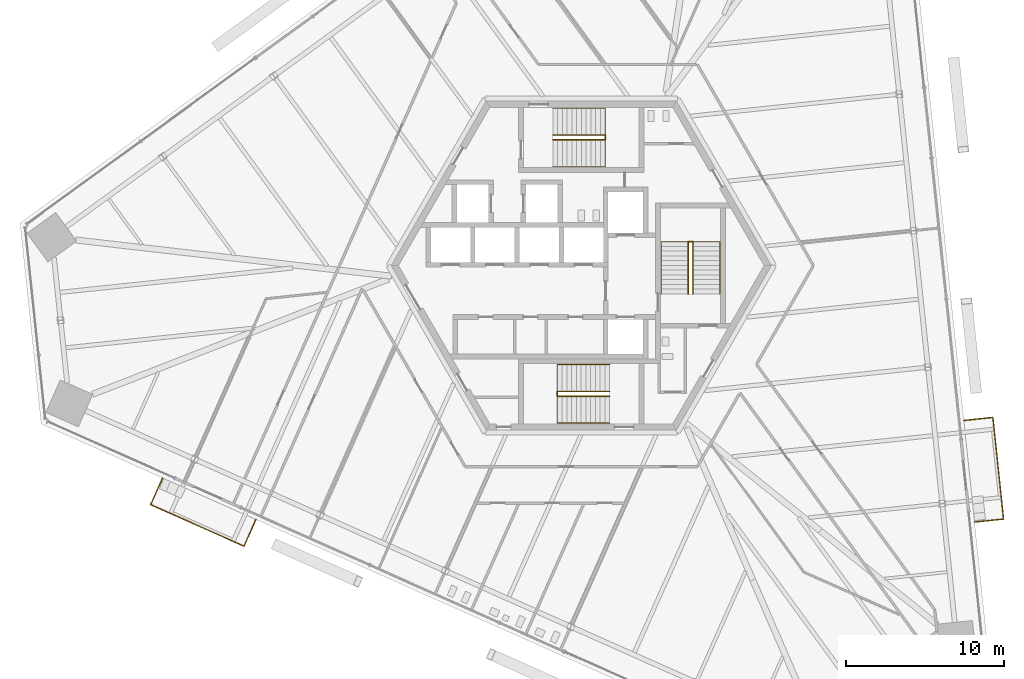
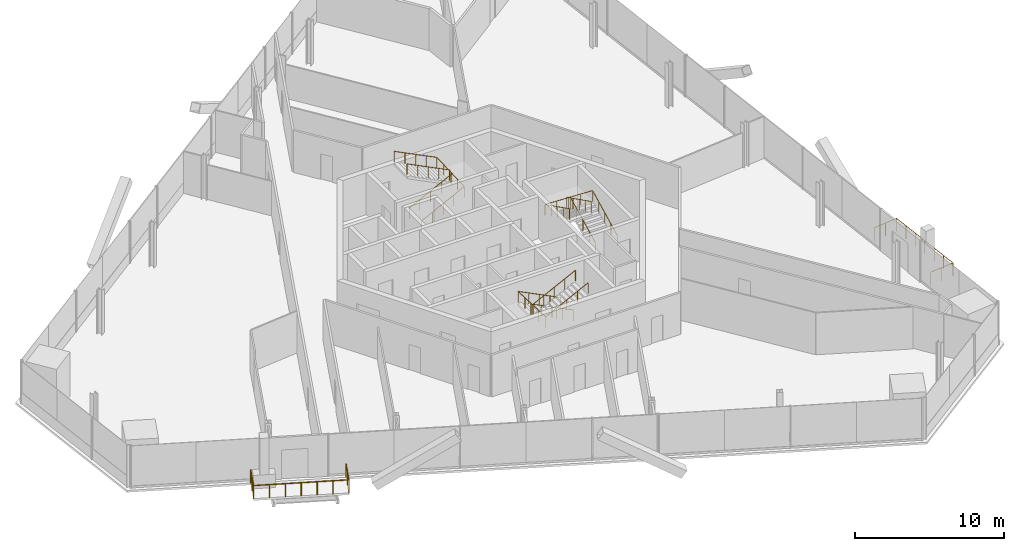
# One storey, part 16 of 19: 8 railings.
"""IFC4 building model written with IfcOpenShell, lengths in metres."""

from ifc_helpers import new_model, si_unit, direction, frame, origin, origin_2d, place, context, subcontext, project, spatial, circle, extrude, source, transform, mapped, material, type_object, element, save


model = new_model("IFC4")

# Units and contexts
model_context = context("Model", 3, precision=1e-05, world=origin(), true_north=direction((0.0, 1.0)))
body_context = subcontext(model_context, "Body", "Model", "MODEL_VIEW")
ifc_project = project(units=[si_unit("LENGTHUNIT", "METRE"), si_unit("AREAUNIT", "SQUARE_METRE"), si_unit("VOLUMEUNIT", "CUBIC_METRE"), si_unit("PLANEANGLEUNIT", "RADIAN"), si_unit("MASSUNIT", "GRAM", prefix="KILO")], contexts=[model_context])

# Site, building, storey
site_placement = place(None, origin())
site = spatial("IfcSite", under=ifc_project, at=site_placement, CompositionType="ELEMENT")
building_placement = place(site_placement, origin())
building = spatial("IfcBuilding", under=site, at=building_placement, Name="Triune Harvest Tower", CompositionType="ELEMENT")
storey_placement = place(building_placement, frame((0.0, 0.0, 69.300048828125)))
storey = spatial("IfcBuildingStorey", under=building, at=storey_placement, Name="L16", CompositionType="ELEMENT", Elevation=69.300048828125)

# Railings
ifc_material_1 = material(Name="Glass", Category="glass")
railing_type_1 = type_object("IfcRailingType", Name="GD-2 balcony guard 1100", PredefinedType="GUARDRAIL", material=ifc_material_1)
railing_1_placement = place(storey_placement, frame((24.826416015625, -16.193115234375, 0.0)))
element("IfcRailing", 1, at=railing_1_placement, inside=storey, type_object=railing_type_1, Name="Balcony guard B2-F1 L16.3", PredefinedType="GUARDRAIL", context=body_context, shape_type="SweptSolid", body=[
    extrude(circle(Radius=0.02392578125, at=origin_2d()), frame((0.0, 0.0, 1.076171875), z_axis=(0.994532254318, 0.10442985742, 0.0), x_axis=(-0.10442985742, 0.994532254318, 0.0)), (0.0, 0.0, 1.0), 1.844482421875),
    extrude(circle(Radius=0.02392578125, at=origin_2d()), frame((1.83447265625, 0.192626953125, 1.076171875), z_axis=(-0.104519435036, 0.994522844232, 0.0), x_axis=(-0.994522844232, -0.104519435036, 0.0)), (0.0, 0.0, 1.0), 6.456298828125),
    extrude(circle(Radius=0.02392578125, at=origin_2d()), frame((1.15966796875, 6.613525390625, 1.076171875), z_axis=(-0.994518499421, -0.104560768504, 0.0), x_axis=(0.104560768504, -0.994518499421, 0.0)), (0.0, 0.0, 1.0), 1.844482421875),
    extrude(circle(Radius=0.02099609375, at=origin_2d()), origin(), (0.0, 0.0, 1.0), 1.052001953125),
    extrude(circle(Radius=0.02099609375, at=origin_2d()), frame((0.917236328125, 0.09619140625, 0.0)), (0.0, 0.0, 1.0), 1.052001953125),
    extrude(circle(Radius=0.02099609375, at=origin_2d()), frame((1.83447265625, 0.192626953125, 0.0)), (0.0, 0.0, 1.0), 1.052001953125),
    extrude(circle(Radius=0.02099609375, at=origin_2d()), frame((1.721923828125, 1.2626953125, 0.0)), (0.0, 0.0, 1.0), 1.052001953125),
    extrude(circle(Radius=0.02099609375, at=origin_2d()), frame((1.609619140625, 2.3330078125, 0.0)), (0.0, 0.0, 1.0), 1.052001953125),
    extrude(circle(Radius=0.02099609375, at=origin_2d()), frame((1.4970703125, 3.403076171875, 0.0)), (0.0, 0.0, 1.0), 1.052001953125),
    extrude(circle(Radius=0.02099609375, at=origin_2d()), frame((1.384521484375, 4.47314453125, 0.0)), (0.0, 0.0, 1.0), 1.052001953125),
    extrude(circle(Radius=0.02099609375, at=origin_2d()), frame((1.272216796875, 5.54345703125, 0.0)), (0.0, 0.0, 1.0), 1.052001953125),
    extrude(circle(Radius=0.02099609375, at=origin_2d()), frame((1.15966796875, 6.613525390625, 0.0)), (0.0, 0.0, 1.0), 1.052001953125),
    extrude(circle(Radius=0.02099609375, at=origin_2d()), frame((0.242431640625, 6.51708984375, 0.0)), (0.0, 0.0, 1.0), 1.052001953125),
    extrude(circle(Radius=0.02099609375, at=origin_2d()), frame((-0.6748046875, 6.420654296875, 0.0)), (0.0, 0.0, 1.0), 1.052001953125),
])
railing_2_placement = place(storey_placement, frame((-26.436767578125, -13.40380859375, 0.0)))
element("IfcRailing", 2, at=railing_2_placement, inside=storey, type_object=railing_type_1, Name="Balcony guard B2-F5 L16.3", PredefinedType="GUARDRAIL", context=body_context, shape_type="SweptSolid", body=[
    extrude(circle(Radius=0.02392578125, at=origin_2d()), frame((0.0, 0.0, 1.076171875), z_axis=(-0.406690959187, -0.913565796052, 0.0), x_axis=(0.913565796052, -0.406690959187, 0.0)), (0.0, 0.0, 1.0), 1.8447265625),
    extrude(circle(Radius=0.02392578125, at=origin_2d()), frame((-0.750244140625, -1.685302734375, 1.076171875), z_axis=(0.913543133284, -0.406741863631, 0.0), x_axis=(0.406741863631, 0.913543133284, 0.0)), (0.0, 0.0, 1.0), 6.4560546875),
    extrude(circle(Radius=0.02392578125, at=origin_2d()), frame((5.147705078125, -4.311279296875, 1.076171875), z_axis=(0.406690959187, 0.913565796052, 0.0), x_axis=(-0.913565796052, 0.406690959187, 0.0)), (0.0, 0.0, 1.0), 1.8447265625),
    extrude(circle(Radius=0.02099609375, at=origin_2d()), origin(), (0.0, 0.0, 1.0), 1.052001953125),
    extrude(circle(Radius=0.02099609375, at=origin_2d()), frame((-0.375, -0.8427734375, 0.0)), (0.0, 0.0, 1.0), 1.052001953125),
    extrude(circle(Radius=0.02099609375, at=origin_2d()), frame((-0.750244140625, -1.685302734375, 0.0)), (0.0, 0.0, 1.0), 1.052001953125),
    extrude(circle(Radius=0.02099609375, at=origin_2d()), frame((0.232666015625, -2.123046875, 0.0)), (0.0, 0.0, 1.0), 1.052001953125),
    extrude(circle(Radius=0.02099609375, at=origin_2d()), frame((1.2158203125, -2.560546875, 0.0)), (0.0, 0.0, 1.0), 1.052001953125),
    extrude(circle(Radius=0.02099609375, at=origin_2d()), frame((2.19873046875, -2.998291015625, 0.0)), (0.0, 0.0, 1.0), 1.052001953125),
    extrude(circle(Radius=0.02099609375, at=origin_2d()), frame((3.181640625, -3.43603515625, 0.0)), (0.0, 0.0, 1.0), 1.052001953125),
    extrude(circle(Radius=0.02099609375, at=origin_2d()), frame((4.164794921875, -3.87353515625, 0.0)), (0.0, 0.0, 1.0), 1.052001953125),
    extrude(circle(Radius=0.02099609375, at=origin_2d()), frame((5.147705078125, -4.311279296875, 0.0)), (0.0, 0.0, 1.0), 1.052001953125),
    extrude(circle(Radius=0.02099609375, at=origin_2d()), frame((5.52294921875, -3.46875, 0.0)), (0.0, 0.0, 1.0), 1.052001953125),
    extrude(circle(Radius=0.02099609375, at=origin_2d()), frame((5.89794921875, -2.6259765625, 0.0)), (0.0, 0.0, 1.0), 1.052001953125),
])
ifc_material_2 = material(Name="Stainless steel AISI 316", Category="steel")
railing_type_2 = type_object("IfcRailingType", Name="Stair handrail", PredefinedType="HANDRAIL", material=ifc_material_2)
shared_shape_1 = source(origin(), body_context, "Body", "SweptSolid", [
    extrude(circle(Radius=0.02392578125, at=origin_2d()), frame((0.0, 0.0, 0.8759765625), z_axis=(0.894413956696, 0.0, 0.447240063129), x_axis=(0.0, 1.0, 0.0)), (0.0, 0.0, 1.0), 3.689697265625),
    extrude(circle(Radius=0.02392578125, at=origin_2d()), frame((3.300048828125, 0.0, 2.52587890625), z_axis=(0.0, 0.999180289278, 0.040481471304), x_axis=(-1.0, 0.0, 0.0)), (0.0, 0.0, 1.0), 3.702880859375),
    extrude(circle(Radius=0.02392578125, at=origin_2d()), frame((3.300048828125, 3.699951171875, 2.67578125), z_axis=(-0.894440424912, 0.0, 0.447187126696), x_axis=(0.0, -1.0, 0.0)), (0.0, 0.0, 1.0), 3.689453125),
    extrude(circle(Radius=0.02099609375, at=origin_2d()), origin(), (0.0, 0.0, 1.0), 0.851806640625),
    extrude(circle(Radius=0.02099609375, at=origin_2d()), frame((0.824951171875, 0.0, 0.41259765625)), (0.0, 0.0, 1.0), 0.851806640625),
    extrude(circle(Radius=0.02099609375, at=origin_2d()), frame((1.64990234375, 0.0, 0.8251953125)), (0.0, 0.0, 1.0), 0.851806640625),
    extrude(circle(Radius=0.02099609375, at=origin_2d()), frame((2.47509765625, 0.0, 1.237548828125)), (0.0, 0.0, 1.0), 0.851806640625),
    extrude(circle(Radius=0.02099609375, at=origin_2d()), frame((3.300048828125, 0.0, 1.650146484375)), (0.0, 0.0, 1.0), 0.851806640625),
    extrude(circle(Radius=0.02099609375, at=origin_2d()), frame((3.300048828125, 0.925048828125, 1.6875)), (0.0, 0.0, 1.0), 0.851806640625),
    extrude(circle(Radius=0.02099609375, at=origin_2d()), frame((3.300048828125, 1.85009765625, 1.72509765625)), (0.0, 0.0, 1.0), 0.851806640625),
    extrude(circle(Radius=0.02099609375, at=origin_2d()), frame((3.300048828125, 2.77490234375, 1.7626953125)), (0.0, 0.0, 1.0), 0.851806640625),
    extrude(circle(Radius=0.02099609375, at=origin_2d()), frame((3.300048828125, 3.699951171875, 1.800048828125)), (0.0, 0.0, 1.0), 0.851806640625),
    extrude(circle(Radius=0.02099609375, at=origin_2d()), frame((2.47509765625, 3.699951171875, 2.21240234375)), (0.0, 0.0, 1.0), 0.851806640625),
    extrude(circle(Radius=0.02099609375, at=origin_2d()), frame((1.64990234375, 3.699951171875, 2.625)), (0.0, 0.0, 1.0), 0.851806640625),
    extrude(circle(Radius=0.02099609375, at=origin_2d()), frame((0.824951171875, 3.699951171875, 3.03759765625)), (0.0, 0.0, 1.0), 0.851806640625),
    extrude(circle(Radius=0.02099609375, at=origin_2d()), frame((0.0, 3.699951171875, 3.449951171875)), (0.0, 0.0, 1.0), 0.851806640625),
])
railing_3_placement = place(storey_placement, frame((-1.7900390625, 6.239990234375, 0.14990234375)))
element("IfcRailing", 3, at=railing_3_placement, inside=storey, type_object=railing_type_2, Name="Exit stair north wall handrail", PredefinedType="HANDRAIL", context=body_context, shape_type="MappedRepresentation", body=[
    mapped(shared_shape_1, transform((0.0, 0.0, 0.0), scale=1.0)),
])
shared_shape_2 = source(origin(), body_context, "Body", "SweptSolid", [
    extrude(circle(Radius=0.02392578125, at=origin_2d()), frame((0.0, 0.0, 0.8759765625), z_axis=(0.894413956696, 0.0, 0.447240063129), x_axis=(0.0, 1.0, 0.0)), (0.0, 0.0, 1.0), 3.689697265625),
    extrude(circle(Radius=0.02392578125, at=origin_2d()), frame((3.300048828125, 0.0, 2.52587890625), z_axis=(0.0, 0.894572720946, 0.446922417137), x_axis=(-1.0, 0.0, 0.0)), (0.0, 0.0, 1.0), 0.33544921875),
    extrude(circle(Radius=0.02392578125, at=origin_2d()), frame((3.300048828125, 0.300048828125, 2.67578125), z_axis=(-0.894440424912, 0.0, 0.447187126696), x_axis=(0.0, -1.0, 0.0)), (0.0, 0.0, 1.0), 3.689453125),
    extrude(circle(Radius=0.02099609375, at=origin_2d()), origin(), (0.0, 0.0, 1.0), 0.851806640625),
    extrude(circle(Radius=0.02099609375, at=origin_2d()), frame((0.824951171875, 0.0, 0.41259765625)), (0.0, 0.0, 1.0), 0.851806640625),
    extrude(circle(Radius=0.02099609375, at=origin_2d()), frame((1.64990234375, 0.0, 0.8251953125)), (0.0, 0.0, 1.0), 0.851806640625),
    extrude(circle(Radius=0.02099609375, at=origin_2d()), frame((2.47509765625, 0.0, 1.237548828125)), (0.0, 0.0, 1.0), 0.851806640625),
    extrude(circle(Radius=0.02099609375, at=origin_2d()), frame((3.300048828125, 0.0, 1.650146484375)), (0.0, 0.0, 1.0), 0.851806640625),
    extrude(circle(Radius=0.02099609375, at=origin_2d()), frame((3.300048828125, 0.300048828125, 1.800048828125)), (0.0, 0.0, 1.0), 0.851806640625),
    extrude(circle(Radius=0.02099609375, at=origin_2d()), frame((2.47509765625, 0.300048828125, 2.21240234375)), (0.0, 0.0, 1.0), 0.851806640625),
    extrude(circle(Radius=0.02099609375, at=origin_2d()), frame((1.64990234375, 0.300048828125, 2.625)), (0.0, 0.0, 1.0), 0.851806640625),
    extrude(circle(Radius=0.02099609375, at=origin_2d()), frame((0.824951171875, 0.300048828125, 3.03759765625)), (0.0, 0.0, 1.0), 0.851806640625),
    extrude(circle(Radius=0.02099609375, at=origin_2d()), frame((0.0, 0.300048828125, 3.449951171875)), (0.0, 0.0, 1.0), 0.851806640625),
])
railing_4_placement = place(storey_placement, frame((-1.7900390625, 7.93994140625, 0.14990234375)))
element("IfcRailing", 4, at=railing_4_placement, inside=storey, type_object=railing_type_2, Name="Exit stair north centre handrail", PredefinedType="HANDRAIL", context=body_context, shape_type="MappedRepresentation", body=[
    mapped(shared_shape_2, transform((0.0, 0.0, 0.0), scale=1.0)),
])
shared_shape_3 = source(origin(), body_context, "Body", "SweptSolid", [
    extrude(circle(Radius=0.02392578125, at=origin_2d()), frame((0.0, 0.0, 0.8759765625), z_axis=(-0.894413956696, 0.0, 0.447240063129), x_axis=(0.0, -1.0, 0.0)), (0.0, 0.0, 1.0), 3.689697265625),
    extrude(circle(Radius=0.02392578125, at=origin_2d()), frame((-3.300048828125, 0.0, 2.52587890625), z_axis=(0.0, -0.999180289278, 0.040481471304), x_axis=(1.0, 0.0, 0.0)), (0.0, 0.0, 1.0), 3.702880859375),
    extrude(circle(Radius=0.02392578125, at=origin_2d()), frame((-3.300048828125, -3.699951171875, 2.67578125), z_axis=(0.894440424912, 0.0, 0.447187126696), x_axis=(0.0, 1.0, 0.0)), (0.0, 0.0, 1.0), 3.689453125),
    extrude(circle(Radius=0.02099609375, at=origin_2d()), origin(), (0.0, 0.0, 1.0), 0.851806640625),
    extrude(circle(Radius=0.02099609375, at=origin_2d()), frame((-0.824951171875, 0.0, 0.41259765625)), (0.0, 0.0, 1.0), 0.851806640625),
    extrude(circle(Radius=0.02099609375, at=origin_2d()), frame((-1.64990234375, 0.0, 0.8251953125)), (0.0, 0.0, 1.0), 0.851806640625),
    extrude(circle(Radius=0.02099609375, at=origin_2d()), frame((-2.47509765625, 0.0, 1.237548828125)), (0.0, 0.0, 1.0), 0.851806640625),
    extrude(circle(Radius=0.02099609375, at=origin_2d()), frame((-3.300048828125, 0.0, 1.650146484375)), (0.0, 0.0, 1.0), 0.851806640625),
    extrude(circle(Radius=0.02099609375, at=origin_2d()), frame((-3.300048828125, -0.925048828125, 1.6875)), (0.0, 0.0, 1.0), 0.851806640625),
    extrude(circle(Radius=0.02099609375, at=origin_2d()), frame((-3.300048828125, -1.85009765625, 1.72509765625)), (0.0, 0.0, 1.0), 0.851806640625),
    extrude(circle(Radius=0.02099609375, at=origin_2d()), frame((-3.300048828125, -2.77490234375, 1.7626953125)), (0.0, 0.0, 1.0), 0.851806640625),
    extrude(circle(Radius=0.02099609375, at=origin_2d()), frame((-3.300048828125, -3.699951171875, 1.800048828125)), (0.0, 0.0, 1.0), 0.851806640625),
    extrude(circle(Radius=0.02099609375, at=origin_2d()), frame((-2.47509765625, -3.699951171875, 2.21240234375)), (0.0, 0.0, 1.0), 0.851806640625),
    extrude(circle(Radius=0.02099609375, at=origin_2d()), frame((-1.64990234375, -3.699951171875, 2.625)), (0.0, 0.0, 1.0), 0.851806640625),
    extrude(circle(Radius=0.02099609375, at=origin_2d()), frame((-0.824951171875, -3.699951171875, 3.03759765625)), (0.0, 0.0, 1.0), 0.851806640625),
    extrude(circle(Radius=0.02099609375, at=origin_2d()), frame((0.0, -3.699951171875, 3.449951171875)), (0.0, 0.0, 1.0), 0.851806640625),
])
railing_5_placement = place(storey_placement, frame((1.7900390625, -6.239990234375, 0.14990234375)))
element("IfcRailing", 5, at=railing_5_placement, inside=storey, type_object=railing_type_2, Name="Exit stair south wall handrail", PredefinedType="HANDRAIL", context=body_context, shape_type="MappedRepresentation", body=[
    mapped(shared_shape_3, transform((0.0, 0.0, 0.0), scale=1.0)),
])
shared_shape_4 = source(origin(), body_context, "Body", "SweptSolid", [
    extrude(circle(Radius=0.02392578125, at=origin_2d()), frame((0.0, 0.0, 0.8759765625), z_axis=(-0.894413956696, 0.0, 0.447240063129), x_axis=(0.0, -1.0, 0.0)), (0.0, 0.0, 1.0), 3.689697265625),
    extrude(circle(Radius=0.02392578125, at=origin_2d()), frame((-3.300048828125, 0.0, 2.52587890625), z_axis=(0.0, -0.894572720946, 0.446922417137), x_axis=(1.0, 0.0, 0.0)), (0.0, 0.0, 1.0), 0.33544921875),
    extrude(circle(Radius=0.02392578125, at=origin_2d()), frame((-3.300048828125, -0.300048828125, 2.67578125), z_axis=(0.894440424912, 0.0, 0.447187126696), x_axis=(0.0, 1.0, 0.0)), (0.0, 0.0, 1.0), 3.689453125),
    extrude(circle(Radius=0.02099609375, at=origin_2d()), origin(), (0.0, 0.0, 1.0), 0.851806640625),
    extrude(circle(Radius=0.02099609375, at=origin_2d()), frame((-0.824951171875, 0.0, 0.41259765625)), (0.0, 0.0, 1.0), 0.851806640625),
    extrude(circle(Radius=0.02099609375, at=origin_2d()), frame((-1.64990234375, 0.0, 0.8251953125)), (0.0, 0.0, 1.0), 0.851806640625),
    extrude(circle(Radius=0.02099609375, at=origin_2d()), frame((-2.47509765625, 0.0, 1.237548828125)), (0.0, 0.0, 1.0), 0.851806640625),
    extrude(circle(Radius=0.02099609375, at=origin_2d()), frame((-3.300048828125, 0.0, 1.650146484375)), (0.0, 0.0, 1.0), 0.851806640625),
    extrude(circle(Radius=0.02099609375, at=origin_2d()), frame((-3.300048828125, -0.300048828125, 1.800048828125)), (0.0, 0.0, 1.0), 0.851806640625),
    extrude(circle(Radius=0.02099609375, at=origin_2d()), frame((-2.47509765625, -0.300048828125, 2.21240234375)), (0.0, 0.0, 1.0), 0.851806640625),
    extrude(circle(Radius=0.02099609375, at=origin_2d()), frame((-1.64990234375, -0.300048828125, 2.625)), (0.0, 0.0, 1.0), 0.851806640625),
    extrude(circle(Radius=0.02099609375, at=origin_2d()), frame((-0.824951171875, -0.300048828125, 3.03759765625)), (0.0, 0.0, 1.0), 0.851806640625),
    extrude(circle(Radius=0.02099609375, at=origin_2d()), frame((0.0, -0.300048828125, 3.449951171875)), (0.0, 0.0, 1.0), 0.851806640625),
])
railing_6_placement = place(storey_placement, frame((1.7900390625, -7.93994140625, 0.14990234375)))
element("IfcRailing", 6, at=railing_6_placement, inside=storey, type_object=railing_type_2, Name="Exit stair south centre handrail", PredefinedType="HANDRAIL", context=body_context, shape_type="MappedRepresentation", body=[
    mapped(shared_shape_4, transform((0.0, 0.0, 0.0), scale=1.0)),
])
shared_shape_5 = source(origin(), body_context, "Body", "SweptSolid", [
    extrude(circle(Radius=0.02392578125, at=origin_2d()), frame((0.0, 0.0, 0.8759765625), z_axis=(0.0, 0.894413956696, 0.447240063129), x_axis=(-1.0, 0.0, 0.0)), (0.0, 0.0, 1.0), 3.689697265625),
    extrude(circle(Radius=0.02392578125, at=origin_2d()), frame((0.0, 3.300048828125, 2.52587890625), z_axis=(-0.999180289278, 0.0, 0.040481471304), x_axis=(0.0, -1.0, 0.0)), (0.0, 0.0, 1.0), 3.702880859375),
    extrude(circle(Radius=0.02392578125, at=origin_2d()), frame((-3.699951171875, 3.300048828125, 2.67578125), z_axis=(0.0, -0.894440424912, 0.447187126696), x_axis=(1.0, 0.0, 0.0)), (0.0, 0.0, 1.0), 3.689453125),
    extrude(circle(Radius=0.02099609375, at=origin_2d()), origin(), (0.0, 0.0, 1.0), 0.851806640625),
    extrude(circle(Radius=0.02099609375, at=origin_2d()), frame((0.0, 0.824951171875, 0.41259765625)), (0.0, 0.0, 1.0), 0.851806640625),
    extrude(circle(Radius=0.02099609375, at=origin_2d()), frame((0.0, 1.64990234375, 0.8251953125)), (0.0, 0.0, 1.0), 0.851806640625),
    extrude(circle(Radius=0.02099609375, at=origin_2d()), frame((0.0, 2.47509765625, 1.237548828125)), (0.0, 0.0, 1.0), 0.851806640625),
    extrude(circle(Radius=0.02099609375, at=origin_2d()), frame((0.0, 3.300048828125, 1.650146484375)), (0.0, 0.0, 1.0), 0.851806640625),
    extrude(circle(Radius=0.02099609375, at=origin_2d()), frame((-0.925048828125, 3.300048828125, 1.6875)), (0.0, 0.0, 1.0), 0.851806640625),
    extrude(circle(Radius=0.02099609375, at=origin_2d()), frame((-1.85009765625, 3.300048828125, 1.72509765625)), (0.0, 0.0, 1.0), 0.851806640625),
    extrude(circle(Radius=0.02099609375, at=origin_2d()), frame((-2.77490234375, 3.300048828125, 1.7626953125)), (0.0, 0.0, 1.0), 0.851806640625),
    extrude(circle(Radius=0.02099609375, at=origin_2d()), frame((-3.699951171875, 3.300048828125, 1.800048828125)), (0.0, 0.0, 1.0), 0.851806640625),
    extrude(circle(Radius=0.02099609375, at=origin_2d()), frame((-3.699951171875, 2.47509765625, 2.21240234375)), (0.0, 0.0, 1.0), 0.851806640625),
    extrude(circle(Radius=0.02099609375, at=origin_2d()), frame((-3.699951171875, 1.64990234375, 2.625)), (0.0, 0.0, 1.0), 0.851806640625),
    extrude(circle(Radius=0.02099609375, at=origin_2d()), frame((-3.699951171875, 0.824951171875, 3.03759765625)), (0.0, 0.0, 1.0), 0.851806640625),
    extrude(circle(Radius=0.02099609375, at=origin_2d()), frame((-3.699951171875, 0.0, 3.449951171875)), (0.0, 0.0, 1.0), 0.851806640625),
])
railing_7_placement = place(storey_placement, frame((8.75, -1.7900390625, 0.14990234375)))
element("IfcRailing", 7, at=railing_7_placement, inside=storey, type_object=railing_type_2, Name="Exit stair east wall handrail", PredefinedType="HANDRAIL", context=body_context, shape_type="MappedRepresentation", body=[
    mapped(shared_shape_5, transform((0.0, 0.0, 0.0), scale=1.0)),
])
shared_shape_6 = source(origin(), body_context, "Body", "SweptSolid", [
    extrude(circle(Radius=0.02392578125, at=origin_2d()), frame((0.0, 0.0, 0.8759765625), z_axis=(0.0, 0.894413956696, 0.447240063129), x_axis=(-1.0, 0.0, 0.0)), (0.0, 0.0, 1.0), 3.689697265625),
    extrude(circle(Radius=0.02392578125, at=origin_2d()), frame((0.0, 3.300048828125, 2.52587890625), z_axis=(-0.894572720946, 0.0, 0.446922417137), x_axis=(0.0, -1.0, 0.0)), (0.0, 0.0, 1.0), 0.33544921875),
    extrude(circle(Radius=0.02392578125, at=origin_2d()), frame((-0.300048828125, 3.300048828125, 2.67578125), z_axis=(0.0, -0.894440424912, 0.447187126696), x_axis=(1.0, 0.0, 0.0)), (0.0, 0.0, 1.0), 3.689453125),
    extrude(circle(Radius=0.02099609375, at=origin_2d()), origin(), (0.0, 0.0, 1.0), 0.851806640625),
    extrude(circle(Radius=0.02099609375, at=origin_2d()), frame((0.0, 0.824951171875, 0.41259765625)), (0.0, 0.0, 1.0), 0.851806640625),
    extrude(circle(Radius=0.02099609375, at=origin_2d()), frame((0.0, 1.64990234375, 0.8251953125)), (0.0, 0.0, 1.0), 0.851806640625),
    extrude(circle(Radius=0.02099609375, at=origin_2d()), frame((0.0, 2.47509765625, 1.237548828125)), (0.0, 0.0, 1.0), 0.851806640625),
    extrude(circle(Radius=0.02099609375, at=origin_2d()), frame((0.0, 3.300048828125, 1.650146484375)), (0.0, 0.0, 1.0), 0.851806640625),
    extrude(circle(Radius=0.02099609375, at=origin_2d()), frame((-0.300048828125, 3.300048828125, 1.800048828125)), (0.0, 0.0, 1.0), 0.851806640625),
    extrude(circle(Radius=0.02099609375, at=origin_2d()), frame((-0.300048828125, 2.47509765625, 2.21240234375)), (0.0, 0.0, 1.0), 0.851806640625),
    extrude(circle(Radius=0.02099609375, at=origin_2d()), frame((-0.300048828125, 1.64990234375, 2.625)), (0.0, 0.0, 1.0), 0.851806640625),
    extrude(circle(Radius=0.02099609375, at=origin_2d()), frame((-0.300048828125, 0.824951171875, 3.03759765625)), (0.0, 0.0, 1.0), 0.851806640625),
    extrude(circle(Radius=0.02099609375, at=origin_2d()), frame((-0.300048828125, 0.0, 3.449951171875)), (0.0, 0.0, 1.0), 0.851806640625),
])
railing_8_placement = place(storey_placement, frame((7.050048828125, -1.7900390625, 0.14990234375)))
element("IfcRailing", 8, at=railing_8_placement, inside=storey, type_object=railing_type_2, Name="Exit stair east centre handrail", PredefinedType="HANDRAIL", context=body_context, shape_type="MappedRepresentation", body=[
    mapped(shared_shape_6, transform((0.0, 0.0, 0.0), scale=1.0)),
])

save(model, "model.ifc")
